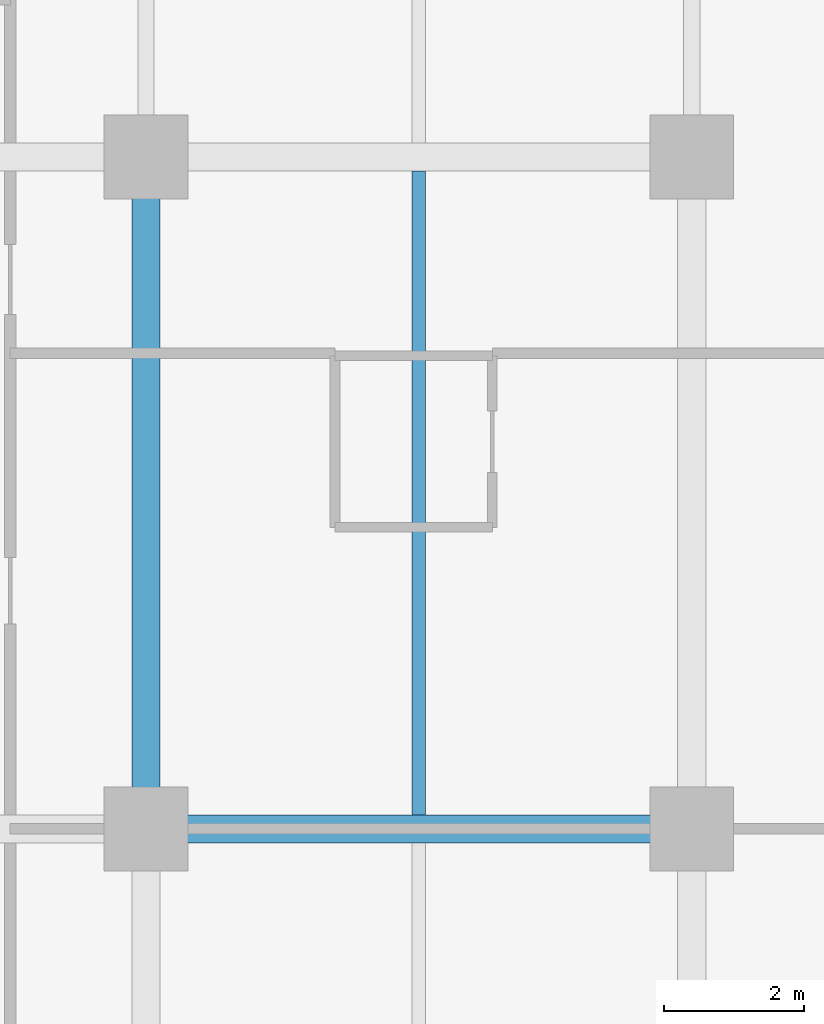
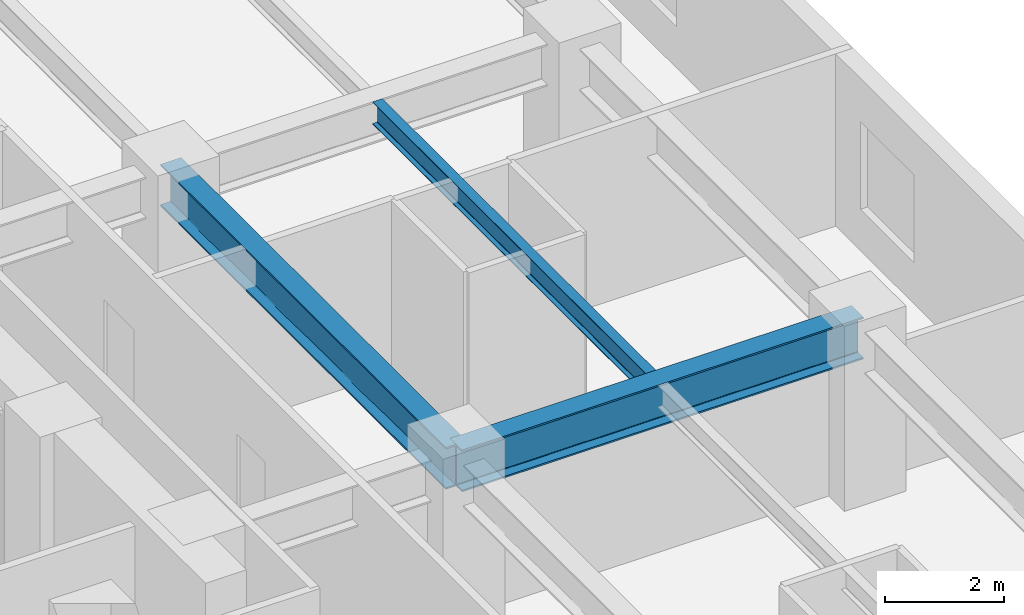
# One storey, part 2 of 12: 3 beams.
"""IFC4 building model written with IfcOpenShell, lengths in metres."""

from ifc_helpers import new_model, si_unit, direction, frame, origin, origin_2d, place, context, subcontext, project, spatial, i_section, extrude, material, material_profile, profile_set, type_object, element, save


model = new_model("IFC4")

# Units and contexts
model_context = context("Model", 3, precision=1e-05, world=origin(), true_north=direction((0.0, 1.0)))
body_context = subcontext(model_context, "Body", "Model", "MODEL_VIEW")
ifc_project = project(units=[si_unit("LENGTHUNIT", "METRE"), si_unit("AREAUNIT", "SQUARE_METRE"), si_unit("VOLUMEUNIT", "CUBIC_METRE"), si_unit("PLANEANGLEUNIT", "RADIAN"), si_unit("MASSUNIT", "GRAM", prefix="KILO")], contexts=[model_context])

# Site, building, storey
site_placement = place(None, origin())
site = spatial("IfcSite", under=ifc_project, at=site_placement, CompositionType="ELEMENT")
building_placement = place(site_placement, origin())
building = spatial("IfcBuilding", under=site, at=building_placement, Name="Kestravale Grand Hotel", CompositionType="ELEMENT")
storey_placement = place(building_placement, frame((0.0, 0.0, 110.800048828125)))
storey = spatial("IfcBuildingStorey", under=building, at=storey_placement, Name="L27", CompositionType="ELEMENT", Elevation=110.800048828125)

# Beams
ifc_material_1 = material(Name="Steel ASTM A992 Grade 50", Category="steel")
ifc_material_profile_1 = material_profile(ifc_material_1, i_section(OverallWidth=0.19091796875, OverallDepth=0.45703125, WebThickness=0.009033203125, FlangeThickness=0.014404296875, FilletRadius=0.015380859375, at=origin_2d()))
ifc_profile_set_1 = profile_set([ifc_material_profile_1], Name="Steel ASTM A992 Grade 50")
beam_type_1 = type_object("IfcBeamType", Name="B-FLR-JST18", PredefinedType="JOIST", material=ifc_profile_set_1)
beam_1_placement = place(storey_placement, frame((66.300048828125, 29.00048828125, 3.3115234375), z_axis=(0.0, 1.0, 0.0), x_axis=(-1.0, 0.0, 0.0)))
element("IfcBeam", 1, at=beam_1_placement, inside=storey, type_object=beam_type_1, Name="L27 floor joist 10-11/E-F #1", PredefinedType="JOIST", context=body_context, shape_type="SweptSolid", body=[
    extrude(i_section(OverallWidth=0.19091796875, OverallDepth=0.45703125, WebThickness=0.009033203125, FlangeThickness=0.014404296875, FilletRadius=0.015380859375, at=origin_2d()), origin(), (0.0, 0.0, 1.0), 9.198974609375),
])
ifc_material_2 = material(Name="Steel ASTM A992 Grade 50", Category="steel")
ifc_material_profile_2 = material_profile(ifc_material_2, i_section(OverallWidth=0.40087890625, OverallDepth=0.861083984375, WebThickness=0.019775390625, FlangeThickness=0.032470703125, FilletRadius=0.0234375, at=origin_2d()))
ifc_profile_set_2 = profile_set([ifc_material_profile_2], Name="Steel ASTM A992 Grade 50")
beam_type_2 = type_object("IfcBeamType", Name="B-GRD-W33", PredefinedType="BEAM", material=ifc_profile_set_2)
beam_2_placement = place(storey_placement, frame((62.39990234375, 28.800048828125, 3.109375), z_axis=(1.0, 0.0, 0.0), x_axis=(0.0, 1.0, 0.0)))
element("IfcBeam", 2, at=beam_2_placement, inside=storey, type_object=beam_type_2, Name="L27 girder E:10-11", PredefinedType="BEAM", context=body_context, shape_type="SweptSolid", body=[
    extrude(i_section(OverallWidth=0.40087890625, OverallDepth=0.861083984375, WebThickness=0.019775390625, FlangeThickness=0.032470703125, FilletRadius=0.0234375, at=origin_2d()), origin(), (0.0, 0.0, 1.0), 7.800048828125),
])
beam_3_placement = place(storey_placement, frame((62.39990234375, 28.800048828125, 3.109375), z_axis=(0.0, 1.0, 0.0), x_axis=(-1.0, 0.0, 0.0)))
element("IfcBeam", 3, at=beam_3_placement, inside=storey, type_object=beam_type_2, Name="L27 girder 10:E-F", PredefinedType="BEAM", context=body_context, shape_type="SweptSolid", body=[
    extrude(i_section(OverallWidth=0.40087890625, OverallDepth=0.861083984375, WebThickness=0.019775390625, FlangeThickness=0.032470703125, FilletRadius=0.0234375, at=origin_2d()), origin(), (0.0, 0.0, 1.0), 9.599853515625),
])

save(model, "model.ifc")
